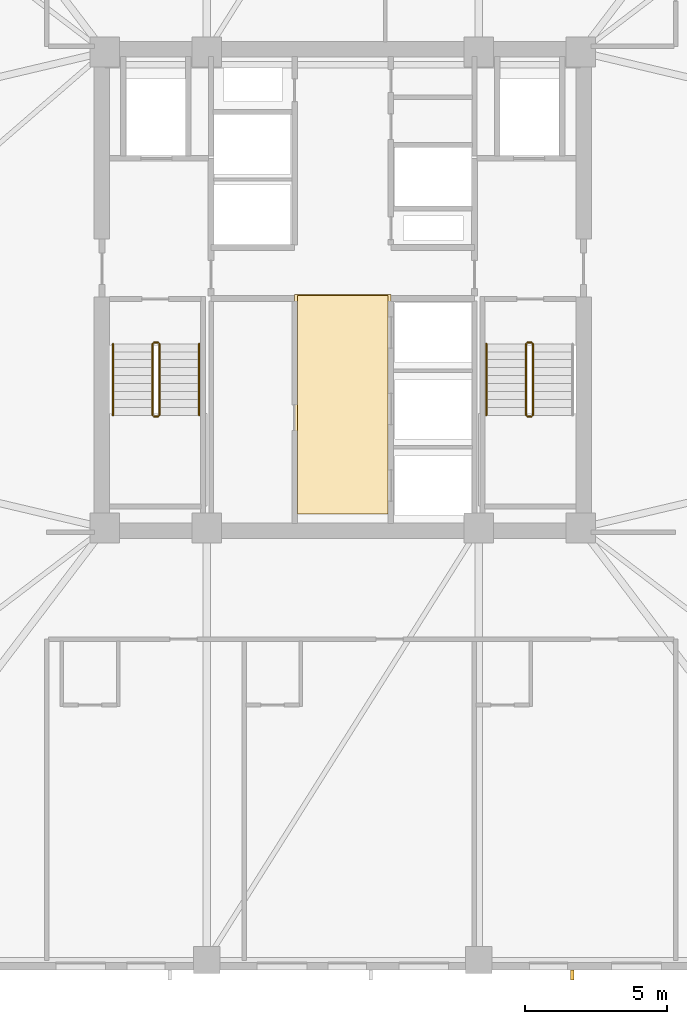
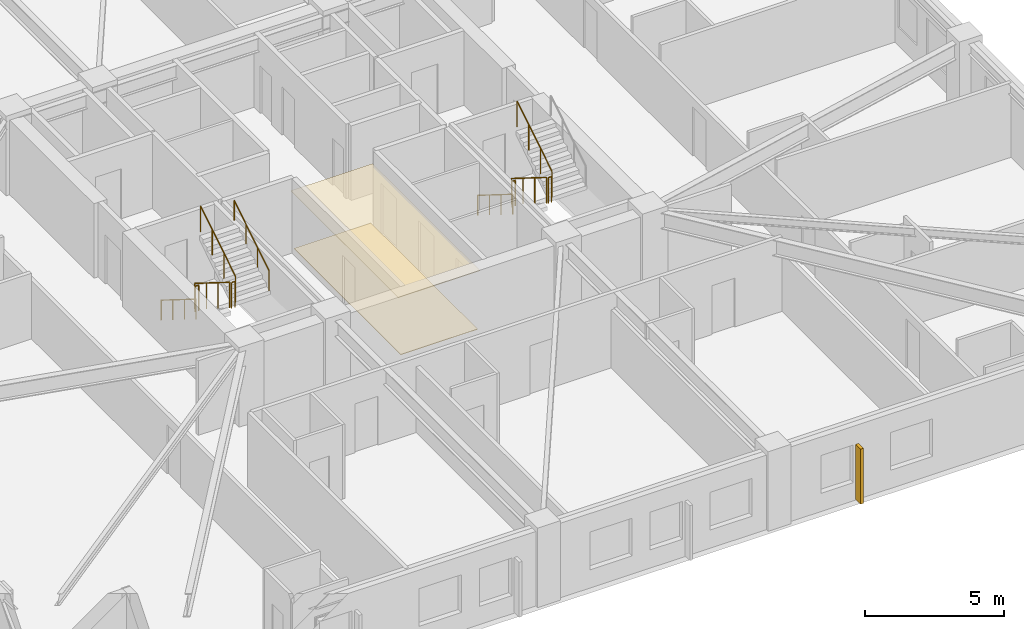
# One storey, part 8 of 11: 11 railings, 2 coverings, 1 shading device.
"""IFC4 building model written with IfcOpenShell, lengths in metres."""

from ifc_helpers import new_model, si_unit, direction, frame, origin, origin_2d, place, context, subcontext, project, spatial, polyline, rectangle, circle, outline, extrude, material, layer, layer_set, type_object, element, save


model = new_model("IFC4")

# Units and contexts
model_context = context("Model", 3, precision=1e-05, world=origin(), true_north=direction((0.0, 1.0)))
body_context = subcontext(model_context, "Body", "Model", "MODEL_VIEW")
ifc_project = project(units=[si_unit("LENGTHUNIT", "METRE"), si_unit("AREAUNIT", "SQUARE_METRE"), si_unit("VOLUMEUNIT", "CUBIC_METRE"), si_unit("PLANEANGLEUNIT", "RADIAN"), si_unit("MASSUNIT", "GRAM", prefix="KILO")], contexts=[model_context])

# Site, building, storey
site_placement = place(None, origin())
site = spatial("IfcSite", under=ifc_project, at=site_placement, CompositionType="ELEMENT")
building_placement = place(site_placement, origin())
building = spatial("IfcBuilding", under=site, at=building_placement, Name="Cairnveth Concourse Tower", CompositionType="ELEMENT")
storey_placement = place(building_placement, frame((0.0, 0.0, 134.0)))
storey = spatial("IfcBuildingStorey", under=building, at=storey_placement, Name="L36", CompositionType="ELEMENT", Elevation=134.0)

# Covering
ifc_material_1 = material(Name="Acoustic Mineral Fibre Ceiling", Category="gypsum")
ifc_layer_1 = layer(ifc_material_1, 0.02490234375)
ifc_layer_set_1 = layer_set([ifc_layer_1], Name="Acoustic Mineral Fibre Ceiling")
covering_type_1 = type_object("IfcCoveringType", Name="ACOUSTIC MINERAL FIBRE CEILING 25", PredefinedType="CEILING", material=ifc_layer_set_1)
covering_1_placement = place(storey_placement, frame((0.0, 0.0, 2.5400390625)))
element("IfcCovering", 1, at=covering_1_placement, inside=storey, type_object=covering_type_1, Name="Lift Lobby Acoustic Ceiling L36", PredefinedType="CEILING", context=body_context, shape_type="SweptSolid", body=[
    extrude(outline(polyline([(50.300048828125, 31.10009765625), (53.699951171875, 31.10009765625), (53.699951171875, 38.85009765625), (50.300048828125, 38.85009765625), (50.300048828125, 31.10009765625)])), origin(), (0.0, 0.0, 1.0), 0.02490234375),
])

# Shading device
ifc_material_2 = material(Name="Architectural Bronze Anodised Aluminium 6063-T6", Category="aluminium")
shading_device_type = type_object("IfcShadingDeviceType", Name="GOTHIC BRONZE VERTICAL LANCET FIN", PredefinedType="USERDEFINED", material=ifc_material_2)
shading_device_placement = place(storey_placement, frame((60.10107421875, 14.824951171875, 0.030029296875), z_axis=(0.0, 0.0, 1.0), x_axis=(1.0, 0.0, 0.0)))
element("IfcShadingDevice", 2, at=shading_device_placement, inside=storey, type_object=shading_device_type, Name="Gothic Bronze Vertical Fin L36-9-3", ObjectType="VERTICAL FIN", PredefinedType="USERDEFINED", context=body_context, shape_type="SweptSolid", body=[
    extrude(rectangle(XDim=0.1201171875, YDim=0.360107421875, at=origin_2d()), origin(), (0.0, 0.0, 1.0), 2.419921875),
])

# Railings
ifc_material_3 = material(Name="Steel Grade 350", Category="steel")
railing_type_1 = type_object("IfcRailingType", Name="STAIR GUARDRAIL 1150", PredefinedType="GUARDRAIL", material=ifc_material_3)
railing_1_placement = place(storey_placement, frame((45.2900390625, 37.10009765625, 0.175048828125)))
element("IfcRailing", 3, at=railing_1_placement, inside=storey, type_object=railing_type_1, Name="L36 ST-1 stair guard 1", PredefinedType="GUARDRAIL", context=body_context, shape_type="SweptSolid", body=[
    extrude(circle(Radius=0.02392578125, at=origin_2d()), frame((0.0, 0.0, 1.1259765625), z_axis=(0.0, -0.848007534815, 0.529984170421), x_axis=(1.0, 0.0, 0.0)), (0.0, 0.0, 1.0), 2.9716796875),
    extrude(circle(Radius=0.02099609375, at=origin_2d()), origin(), (0.0, 0.0, 1.0), 1.101806640625),
    extrude(circle(Radius=0.02099609375, at=origin_2d()), frame((0.0, -0.840087890625, 0.52490234375)), (0.0, 0.0, 1.0), 1.101806640625),
    extrude(circle(Radius=0.02099609375, at=origin_2d()), frame((0.0, -1.679931640625, 1.050048828125)), (0.0, 0.0, 1.0), 1.101806640625),
    extrude(circle(Radius=0.02099609375, at=origin_2d()), frame((0.0, -2.52001953125, 1.574951171875)), (0.0, 0.0, 1.0), 1.101806640625),
])
railing_2_placement = place(storey_placement, frame((45.340087890625, 34.530029296875, 1.75)))
element("IfcRailing", 4, at=railing_2_placement, inside=storey, type_object=railing_type_1, Name="L36 ST-1 stair guard 2", PredefinedType="GUARDRAIL", context=body_context, shape_type="SweptSolid", body=[
    extrude(circle(Radius=0.02392578125, at=origin_2d()), frame((0.0, 0.0, 1.1259765625), z_axis=(1.0, 0.0, 0.0), x_axis=(0.0, 1.0, 0.0)), (0.0, 0.0, 1.0), 0.139892578125),
    extrude(circle(Radius=0.02099609375, at=origin_2d()), origin(), (0.0, 0.0, 1.0), 1.101806640625),
    extrude(circle(Radius=0.02099609375, at=origin_2d()), frame((0.139892578125, 0.0, 0.0)), (0.0, 0.0, 1.0), 1.101806640625),
])
railing_3_placement = place(storey_placement, frame((45.530029296875, 34.580078125, 1.925048828125)))
element("IfcRailing", 5, at=railing_3_placement, inside=storey, type_object=railing_type_1, Name="L36 ST-1 stair guard 3", PredefinedType="GUARDRAIL", context=body_context, shape_type="SweptSolid", body=[
    extrude(circle(Radius=0.02392578125, at=origin_2d()), frame((0.0, 0.0, 1.1259765625), z_axis=(0.0, 0.848007534815, 0.529984170421), x_axis=(-1.0, 0.0, 0.0)), (0.0, 0.0, 1.0), 2.9716796875),
    extrude(circle(Radius=0.02099609375, at=origin_2d()), origin(), (0.0, 0.0, 1.0), 1.101806640625),
    extrude(circle(Radius=0.02099609375, at=origin_2d()), frame((0.0, 0.840087890625, 0.52490234375)), (0.0, 0.0, 1.0), 1.101806640625),
    extrude(circle(Radius=0.02099609375, at=origin_2d()), frame((0.0, 1.679931640625, 1.050048828125)), (0.0, 0.0, 1.0), 1.101806640625),
    extrude(circle(Radius=0.02099609375, at=origin_2d()), frame((0.0, 2.52001953125, 1.574951171875)), (0.0, 0.0, 1.0), 1.101806640625),
])
railing_4_placement = place(storey_placement, frame((45.340087890625, 37.14990234375, 0.0)))
element("IfcRailing", 6, at=railing_4_placement, inside=storey, type_object=railing_type_1, Name="L36 ST-1 stair guard 4", PredefinedType="GUARDRAIL", context=body_context, shape_type="SweptSolid", body=[
    extrude(circle(Radius=0.02392578125, at=origin_2d()), frame((0.0, 0.0, 1.1259765625), z_axis=(1.0, 0.0, 0.0), x_axis=(0.0, 1.0, 0.0)), (0.0, 0.0, 1.0), 0.139892578125),
    extrude(circle(Radius=0.02099609375, at=origin_2d()), origin(), (0.0, 0.0, 1.0), 1.101806640625),
    extrude(circle(Radius=0.02099609375, at=origin_2d()), frame((0.139892578125, 0.0, 0.0)), (0.0, 0.0, 1.0), 1.101806640625),
])
railing_5_placement = place(storey_placement, frame((58.469970703125, 37.10009765625, 0.175048828125)))
element("IfcRailing", 7, at=railing_5_placement, inside=storey, type_object=railing_type_1, Name="L36 ST-2 stair guard 1", PredefinedType="GUARDRAIL", context=body_context, shape_type="SweptSolid", body=[
    extrude(circle(Radius=0.02392578125, at=origin_2d()), frame((0.0, 0.0, 1.1259765625), z_axis=(0.0, -0.848007534815, 0.529984170421), x_axis=(1.0, 0.0, 0.0)), (0.0, 0.0, 1.0), 2.9716796875),
    extrude(circle(Radius=0.02099609375, at=origin_2d()), origin(), (0.0, 0.0, 1.0), 1.101806640625),
    extrude(circle(Radius=0.02099609375, at=origin_2d()), frame((0.0, -0.840087890625, 0.52490234375)), (0.0, 0.0, 1.0), 1.101806640625),
    extrude(circle(Radius=0.02099609375, at=origin_2d()), frame((0.0, -1.679931640625, 1.050048828125)), (0.0, 0.0, 1.0), 1.101806640625),
    extrude(circle(Radius=0.02099609375, at=origin_2d()), frame((0.0, -2.52001953125, 1.574951171875)), (0.0, 0.0, 1.0), 1.101806640625),
])
railing_6_placement = place(storey_placement, frame((58.52001953125, 34.530029296875, 1.75)))
element("IfcRailing", 8, at=railing_6_placement, inside=storey, type_object=railing_type_1, Name="L36 ST-2 stair guard 2", PredefinedType="GUARDRAIL", context=body_context, shape_type="SweptSolid", body=[
    extrude(circle(Radius=0.02392578125, at=origin_2d()), frame((0.0, 0.0, 1.1259765625), z_axis=(1.0, 0.0, 0.0), x_axis=(0.0, 1.0, 0.0)), (0.0, 0.0, 1.0), 0.139892578125),
    extrude(circle(Radius=0.02099609375, at=origin_2d()), origin(), (0.0, 0.0, 1.0), 1.101806640625),
    extrude(circle(Radius=0.02099609375, at=origin_2d()), frame((0.139892578125, 0.0, 0.0)), (0.0, 0.0, 1.0), 1.101806640625),
])
railing_7_placement = place(storey_placement, frame((58.7099609375, 34.580078125, 1.925048828125)))
element("IfcRailing", 9, at=railing_7_placement, inside=storey, type_object=railing_type_1, Name="L36 ST-2 stair guard 3", PredefinedType="GUARDRAIL", context=body_context, shape_type="SweptSolid", body=[
    extrude(circle(Radius=0.02392578125, at=origin_2d()), frame((0.0, 0.0, 1.1259765625), z_axis=(0.0, 0.848007534815, 0.529984170421), x_axis=(-1.0, 0.0, 0.0)), (0.0, 0.0, 1.0), 2.9716796875),
    extrude(circle(Radius=0.02099609375, at=origin_2d()), origin(), (0.0, 0.0, 1.0), 1.101806640625),
    extrude(circle(Radius=0.02099609375, at=origin_2d()), frame((0.0, 0.840087890625, 0.52490234375)), (0.0, 0.0, 1.0), 1.101806640625),
    extrude(circle(Radius=0.02099609375, at=origin_2d()), frame((0.0, 1.679931640625, 1.050048828125)), (0.0, 0.0, 1.0), 1.101806640625),
    extrude(circle(Radius=0.02099609375, at=origin_2d()), frame((0.0, 2.52001953125, 1.574951171875)), (0.0, 0.0, 1.0), 1.101806640625),
])
railing_8_placement = place(storey_placement, frame((58.52001953125, 37.14990234375, 0.0)))
element("IfcRailing", 10, at=railing_8_placement, inside=storey, type_object=railing_type_1, Name="L36 ST-2 stair guard 4", PredefinedType="GUARDRAIL", context=body_context, shape_type="SweptSolid", body=[
    extrude(circle(Radius=0.02392578125, at=origin_2d()), frame((0.0, 0.0, 1.1259765625), z_axis=(1.0, 0.0, 0.0), x_axis=(0.0, 1.0, 0.0)), (0.0, 0.0, 1.0), 0.139892578125),
    extrude(circle(Radius=0.02099609375, at=origin_2d()), origin(), (0.0, 0.0, 1.0), 1.101806640625),
    extrude(circle(Radius=0.02099609375, at=origin_2d()), frame((0.139892578125, 0.0, 0.0)), (0.0, 0.0, 1.0), 1.101806640625),
])
railing_type_2 = type_object("IfcRailingType", Name="STAIR WALL HANDRAIL 900", PredefinedType="HANDRAIL", material=ifc_material_3)
railing_9_placement = place(storey_placement, frame((43.889892578125, 37.10009765625, 0.175048828125)))
element("IfcRailing", 11, at=railing_9_placement, inside=storey, type_object=railing_type_2, Name="L36 ST-1 stair handrail 1", PredefinedType="HANDRAIL", context=body_context, shape_type="SweptSolid", body=[
    extrude(circle(Radius=0.02392578125, at=origin_2d()), frame((0.0, 0.0, 0.8759765625), z_axis=(0.0, -0.848007534815, 0.529984170421), x_axis=(1.0, 0.0, 0.0)), (0.0, 0.0, 1.0), 2.9716796875),
    extrude(circle(Radius=0.02099609375, at=origin_2d()), origin(), (0.0, 0.0, 1.0), 0.851806640625),
    extrude(circle(Radius=0.02099609375, at=origin_2d()), frame((0.0, -0.840087890625, 0.52490234375)), (0.0, 0.0, 1.0), 0.851806640625),
    extrude(circle(Radius=0.02099609375, at=origin_2d()), frame((0.0, -1.679931640625, 1.050048828125)), (0.0, 0.0, 1.0), 0.851806640625),
    extrude(circle(Radius=0.02099609375, at=origin_2d()), frame((0.0, -2.52001953125, 1.574951171875)), (0.0, 0.0, 1.0), 0.851806640625),
])
railing_10_placement = place(storey_placement, frame((46.929931640625, 34.580078125, 1.925048828125)))
element("IfcRailing", 12, at=railing_10_placement, inside=storey, type_object=railing_type_2, Name="L36 ST-1 stair handrail 2", PredefinedType="HANDRAIL", context=body_context, shape_type="SweptSolid", body=[
    extrude(circle(Radius=0.02392578125, at=origin_2d()), frame((0.0, 0.0, 0.8759765625), z_axis=(0.0, 0.848007534815, 0.529984170421), x_axis=(-1.0, 0.0, 0.0)), (0.0, 0.0, 1.0), 2.9716796875),
    extrude(circle(Radius=0.02099609375, at=origin_2d()), origin(), (0.0, 0.0, 1.0), 0.851806640625),
    extrude(circle(Radius=0.02099609375, at=origin_2d()), frame((0.0, 0.840087890625, 0.52490234375)), (0.0, 0.0, 1.0), 0.851806640625),
    extrude(circle(Radius=0.02099609375, at=origin_2d()), frame((0.0, 1.679931640625, 1.050048828125)), (0.0, 0.0, 1.0), 0.851806640625),
    extrude(circle(Radius=0.02099609375, at=origin_2d()), frame((0.0, 2.52001953125, 1.574951171875)), (0.0, 0.0, 1.0), 0.851806640625),
])
railing_11_placement = place(storey_placement, frame((57.070068359375, 37.10009765625, 0.175048828125)))
element("IfcRailing", 13, at=railing_11_placement, inside=storey, type_object=railing_type_2, Name="L36 ST-2 stair handrail 1", PredefinedType="HANDRAIL", context=body_context, shape_type="SweptSolid", body=[
    extrude(circle(Radius=0.02392578125, at=origin_2d()), frame((0.0, 0.0, 0.8759765625), z_axis=(0.0, -0.848007534815, 0.529984170421), x_axis=(1.0, 0.0, 0.0)), (0.0, 0.0, 1.0), 2.9716796875),
    extrude(circle(Radius=0.02099609375, at=origin_2d()), origin(), (0.0, 0.0, 1.0), 0.851806640625),
    extrude(circle(Radius=0.02099609375, at=origin_2d()), frame((0.0, -0.840087890625, 0.52490234375)), (0.0, 0.0, 1.0), 0.851806640625),
    extrude(circle(Radius=0.02099609375, at=origin_2d()), frame((0.0, -1.679931640625, 1.050048828125)), (0.0, 0.0, 1.0), 0.851806640625),
    extrude(circle(Radius=0.02099609375, at=origin_2d()), frame((0.0, -2.52001953125, 1.574951171875)), (0.0, 0.0, 1.0), 0.851806640625),
])

# Covering
ifc_material_4 = material(Name="Vitrified Stoneware Tile Flooring", Category="masonry")
ifc_layer_2 = layer(ifc_material_4, 0.02001953125)
ifc_layer_set_2 = layer_set([ifc_layer_2], Name="Vitrified Stoneware Tile Flooring")
covering_type_2 = type_object("IfcCoveringType", Name="VITRIFIED STONEWARE LOBBY FLOORING 20", PredefinedType="FLOORING", material=ifc_layer_set_2)
covering_2_placement = place(storey_placement, origin())
element("IfcCovering", 14, at=covering_2_placement, inside=storey, type_object=covering_type_2, Name="Lift Lobby Stoneware Flooring L36", PredefinedType="FLOORING", context=body_context, shape_type="SweptSolid", body=[
    extrude(outline(polyline([(50.39990234375, 31.10009765625), (53.60009765625, 31.10009765625), (53.60009765625, 38.800048828125), (50.39990234375, 38.800048828125), (50.39990234375, 31.10009765625)])), origin(), (0.0, 0.0, 1.0), 0.02001953125),
])

save(model, "model.ifc")
